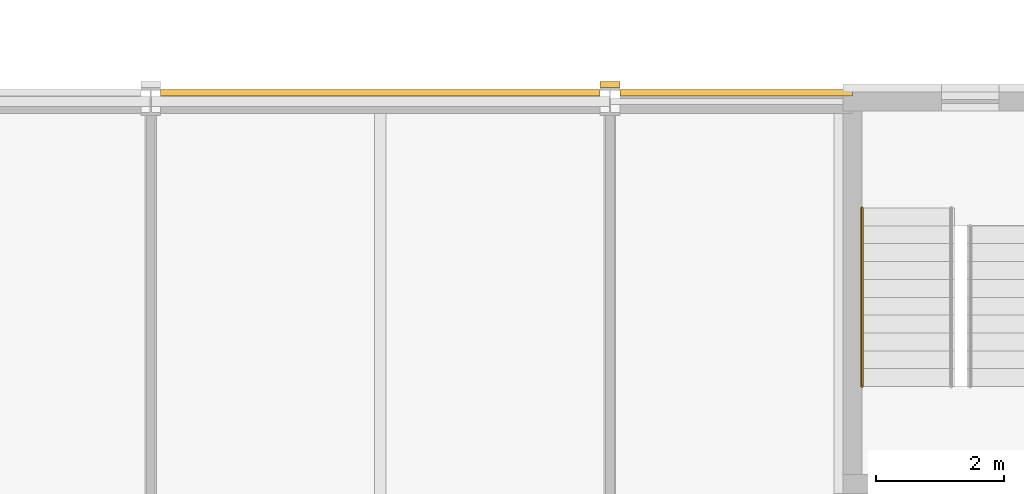
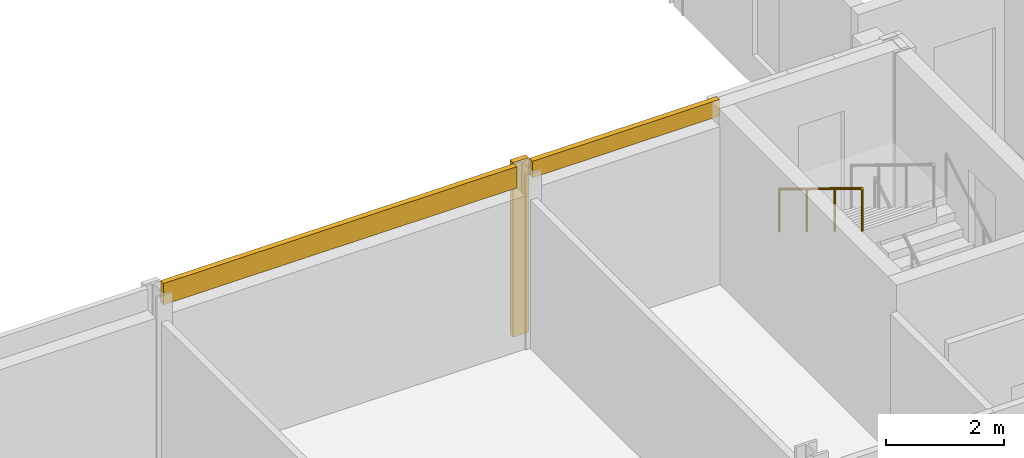
# One storey, part 130 of 142: 3 coverings, 1 railing.
"""IFC4 building model written with IfcOpenShell, lengths in metres."""

from ifc_helpers import new_model, si_unit, direction, frame, origin, origin_2d, place, context, subcontext, project, spatial, rectangle, circle, extrude, material, layer, layer_set, type_object, element, save


model = new_model("IFC4")

# Units and contexts
model_context = context("Model", 3, precision=1e-05, world=origin(), true_north=direction((0.0, 1.0)))
body_context = subcontext(model_context, "Body", "Model", "MODEL_VIEW")
ifc_project = project(units=[si_unit("LENGTHUNIT", "METRE"), si_unit("AREAUNIT", "SQUARE_METRE"), si_unit("VOLUMEUNIT", "CUBIC_METRE"), si_unit("PLANEANGLEUNIT", "RADIAN"), si_unit("MASSUNIT", "GRAM", prefix="KILO")], contexts=[model_context])

# Site, building, storey
site_placement = place(None, origin())
site = spatial("IfcSite", under=ifc_project, at=site_placement, CompositionType="ELEMENT")
building_placement = place(site_placement, origin())
building = spatial("IfcBuilding", under=site, at=building_placement, Name="Kupolbacken Congress Centre", CompositionType="ELEMENT")
storey_placement = place(building_placement, frame((0.0, 0.0, 14.39990234375)))
storey = spatial("IfcBuildingStorey", under=building, at=storey_placement, Name="L04", CompositionType="ELEMENT", Elevation=14.39990234375)

# Coverings
ifc_material_1 = material(Name="Limestone cladding", Category="masonry")
ifc_layer = layer(ifc_material_1, 0.1201171875)
ifc_layer_set = layer_set([ifc_layer], Name="Limestone cladding")
covering_type = type_object("IfcCoveringType", Name="CV1 limestone cladding band 120", PredefinedType="CLADDING", material=ifc_layer_set)
covering_1_placement = place(storey_placement, frame((131.57666015625, 144.137451171875, 3.26025390625), z_axis=(0.0, 0.0, 1.0), x_axis=(-1.0, 0.0, 0.0)))
element("IfcCovering", 1, at=covering_1_placement, inside=storey, type_object=covering_type, Name="E/T/N/L04/047/band", PredefinedType="CLADDING", context=body_context, shape_type="SweptSolid", body=[
    extrude(rectangle(XDim=3.646484375, YDim=0.10498046875, at=origin_2d()), origin(), (0.0, 0.0, 1.0), 0.340087890625),
])
covering_2_placement = place(storey_placement, frame((126.0, 144.137451171875, 3.16015625), z_axis=(0.0, 0.0, 1.0), x_axis=(-1.0, 0.0, 0.0)))
element("IfcCovering", 2, at=covering_2_placement, inside=storey, type_object=covering_type, Name="E/T/N/L04/048/band", PredefinedType="CLADDING", context=body_context, shape_type="SweptSolid", body=[
    extrude(rectangle(XDim=6.89306640625, YDim=0.10498046875, at=origin_2d()), origin(), (0.0, 0.0, 1.0), 0.43994140625),
])
covering_3_placement = place(storey_placement, frame((129.60009765625, 144.26611328125, 0.0), z_axis=(0.0, 0.0, 1.0), x_axis=(1.0, 0.0, 0.0)))
element("IfcCovering", 3, at=covering_3_placement, inside=storey, type_object=covering_type, Name="E/T/pilaster/L04/C-T-19W/N", PredefinedType="CLADDING", context=body_context, shape_type="SweptSolid", body=[
    extrude(rectangle(XDim=0.306884765625, YDim=0.10009765625, at=origin_2d()), origin(), (0.0, 0.0, 1.0), 3.60009765625),
])

# Railing
ifc_material_2 = material(Name="Steel S235", Category="steel")
railing_type = type_object("IfcRailingType", Name="RL3 handrail wall-mounted 900", PredefinedType="HANDRAIL", material=ifc_material_2)
railing_placement = place(storey_placement, frame((133.550048828125, 142.330078125, 1.8857421875)))
element("IfcRailing", 4, at=railing_placement, inside=storey, type_object=railing_type, Name="C/stair/TS4/L04/HR2R", PredefinedType="HANDRAIL", context=body_context, shape_type="SweptSolid", body=[
    extrude(circle(Radius=0.02392578125, at=origin_2d()), frame((0.0, 0.0, 0.8759765625), z_axis=(0.0, -0.852845897599, 0.522162690116), x_axis=(1.0, 0.0, 0.0)), (0.0, 0.0, 1.0), 3.283203125),
    extrude(circle(Radius=0.02099609375, at=origin_2d()), origin(), (0.0, 0.0, 1.0), 0.851806640625),
    extrude(circle(Radius=0.02099609375, at=origin_2d()), frame((0.0, -0.933349609375, 0.571533203125)), (0.0, 0.0, 1.0), 0.851806640625),
    extrude(circle(Radius=0.02099609375, at=origin_2d()), frame((0.0, -1.86669921875, 1.142822265625)), (0.0, 0.0, 1.0), 0.851806640625),
    extrude(circle(Radius=0.02099609375, at=origin_2d()), frame((0.0, -2.800048828125, 1.71435546875)), (0.0, 0.0, 1.0), 0.851806640625),
])

save(model, "model.ifc")
